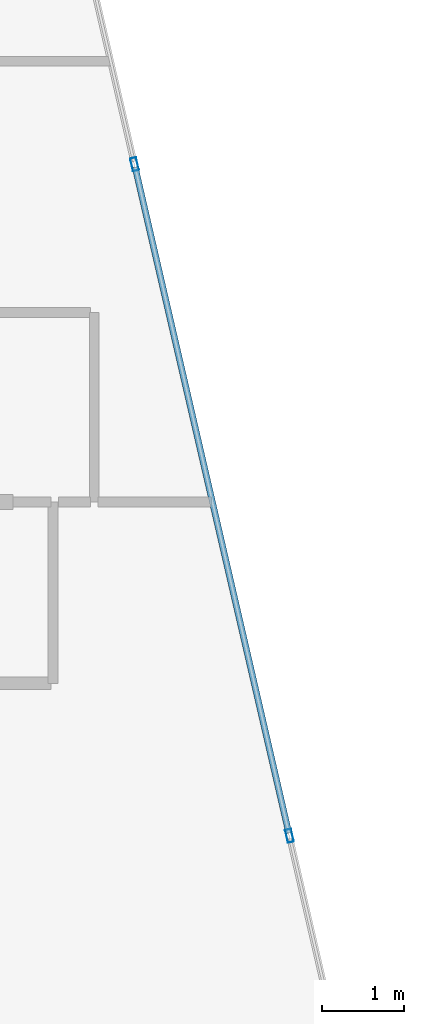
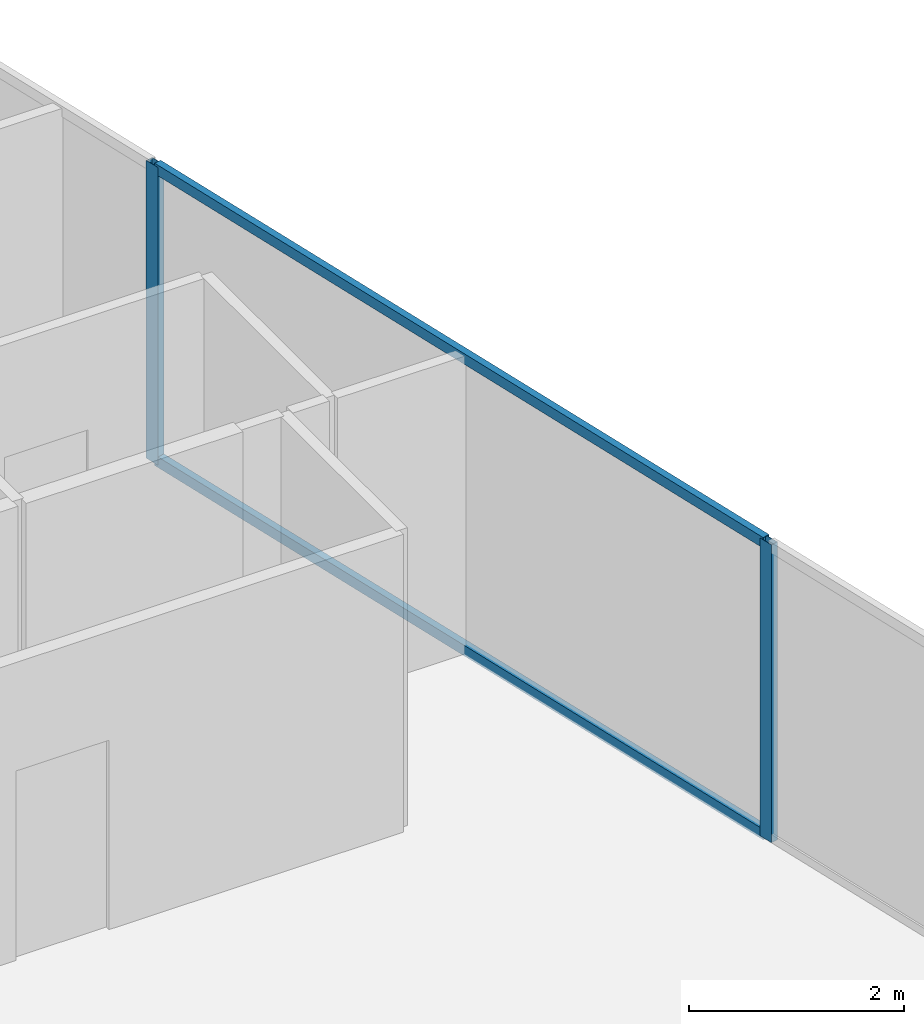
# One storey, part 20 of 29: 4 members, 1 element without a shape of its own.
"""IFC4 building model written with IfcOpenShell, lengths in metres."""

from ifc_helpers import new_model, si_unit, direction, frame, origin, origin_2d, place, context, subcontext, project, spatial, hollow_rectangle, extrude, material, layer, layer_set, material_profile, profile_set, type_object, element, aggregate, save


model = new_model("IFC4")

# Units and contexts
model_context = context("Model", 3, precision=1e-05, world=origin(), true_north=direction((0.0, 1.0)))
body_context = subcontext(model_context, "Body", "Model", "MODEL_VIEW")
ifc_project = project(units=[si_unit("LENGTHUNIT", "METRE"), si_unit("AREAUNIT", "SQUARE_METRE"), si_unit("VOLUMEUNIT", "CUBIC_METRE"), si_unit("PLANEANGLEUNIT", "RADIAN"), si_unit("MASSUNIT", "GRAM", prefix="KILO")], contexts=[model_context])

# Site, building, storey
site_placement = place(None, origin())
site = spatial("IfcSite", under=ifc_project, at=site_placement, CompositionType="ELEMENT")
building_placement = place(site_placement, origin())
building = spatial("IfcBuilding", under=site, at=building_placement, Name="Keshet Zoharim Tower", CompositionType="ELEMENT")
storey_placement = place(building_placement, frame((0.0, 0.0, 214.300048828125)))
storey = spatial("IfcBuildingStorey", under=building, at=storey_placement, Name="L53", CompositionType="ELEMENT", Elevation=214.300048828125)

# Curtain wall, members
ifc_material = material(Name="Aluminium 6063-T6", Category="aluminium")
ifc_layer = layer(ifc_material, 0.139892578125)
ifc_layer_set = layer_set([ifc_layer], Name="Aluminium 6063-T6")
curtain_wall_type = type_object("IfcCurtainWallType", Name="CW-SYS-05", PredefinedType="NOTDEFINED", material=ifc_layer_set)
curtain_wall_placement = place(storey_placement, origin())
curtain_wall = element("IfcCurtainWall", 1, at=curtain_wall_placement, inside=storey, type_object=curtain_wall_type, Name="L53 Unitised Curtain Wall 19", PredefinedType="NOTDEFINED")
ifc_material_profile_1 = material_profile(ifc_material, hollow_rectangle(XDim=0.074951171875, YDim=0.159912109375, WallThickness=0.00390625, at=origin_2d()), Name="MUL-75x160")
ifc_profile_set_1 = profile_set([ifc_material_profile_1], Name="Aluminium 6063-T6")
member_type_1 = type_object("IfcMemberType", Name="CWM-M15", PredefinedType="MULLION", material=ifc_profile_set_1)
member_1_placement = place(storey_placement, frame((41.23876953125, 44.199951171875, 0.0), z_axis=(0.0, 0.0, 1.0), x_axis=(0.974393882313, 0.224847864369, 0.0)))
member_1 = element("IfcMember", 2, at=member_1_placement, type_object=member_type_1, Name="CW-05 mullion 2", PredefinedType="MULLION", context=body_context, shape_type="SweptSolid", body=[
    extrude(hollow_rectangle(XDim=0.074951171875, YDim=0.159912109375, WallThickness=0.00390625, at=origin_2d()), origin(), (0.0, 0.0, 1.0), 3.3798828125),
])
member_2_placement = place(storey_placement, frame((43.119384765625, 36.050048828125, 0.0), z_axis=(0.0, 0.0, 1.0), x_axis=(0.974393882313, 0.224847864369, 0.0)))
member_2 = element("IfcMember", 3, at=member_2_placement, type_object=member_type_1, Name="CW-05 mullion 3", PredefinedType="MULLION", context=body_context, shape_type="SweptSolid", body=[
    extrude(hollow_rectangle(XDim=0.074951171875, YDim=0.159912109375, WallThickness=0.00390625, at=origin_2d()), origin(), (0.0, 0.0, 1.0), 3.3798828125),
])
ifc_material_profile_2 = material_profile(ifc_material, hollow_rectangle(XDim=0.074951171875, YDim=0.1201171875, WallThickness=0.00390625, at=origin_2d()), Name="TRN-75x120")
ifc_profile_set_2 = profile_set([ifc_material_profile_2], Name="Aluminium 6063-T6")
member_type_2 = type_object("IfcMemberType", Name="CWT-T12", PredefinedType="USERDEFINED", material=ifc_profile_set_2)
member_3_placement = place(storey_placement, frame((41.24658203125, 44.166015625, 0.034912109375), z_axis=(0.224848758198, -0.974393676055, 0.0), x_axis=(0.974393676055, 0.224848758198, 0.0)))
member_3 = element("IfcMember", 4, at=member_3_placement, type_object=member_type_2, Name="CW-05 transom 2.1", ObjectType="TRANSOM", PredefinedType="USERDEFINED", context=body_context, shape_type="SweptSolid", body=[
    extrude(hollow_rectangle(XDim=0.074951171875, YDim=0.1201171875, WallThickness=0.00390625, at=origin_2d()), origin(), (0.0, 0.0, 1.0), 8.29443359375),
])
member_4_placement = place(storey_placement, frame((41.24658203125, 44.166015625, 3.344970703125), z_axis=(0.224848758198, -0.974393676055, 0.0), x_axis=(0.974393676055, 0.224848758198, 0.0)))
member_4 = element("IfcMember", 5, at=member_4_placement, type_object=member_type_2, Name="CW-05 transom 2.2", ObjectType="TRANSOM", PredefinedType="USERDEFINED", context=body_context, shape_type="SweptSolid", body=[
    extrude(hollow_rectangle(XDim=0.074951171875, YDim=0.1201171875, WallThickness=0.00390625, at=origin_2d()), origin(), (0.0, 0.0, 1.0), 8.29443359375),
])
aggregate(curtain_wall, [member_1, member_2, member_3, member_4])

save(model, "model.ifc")
